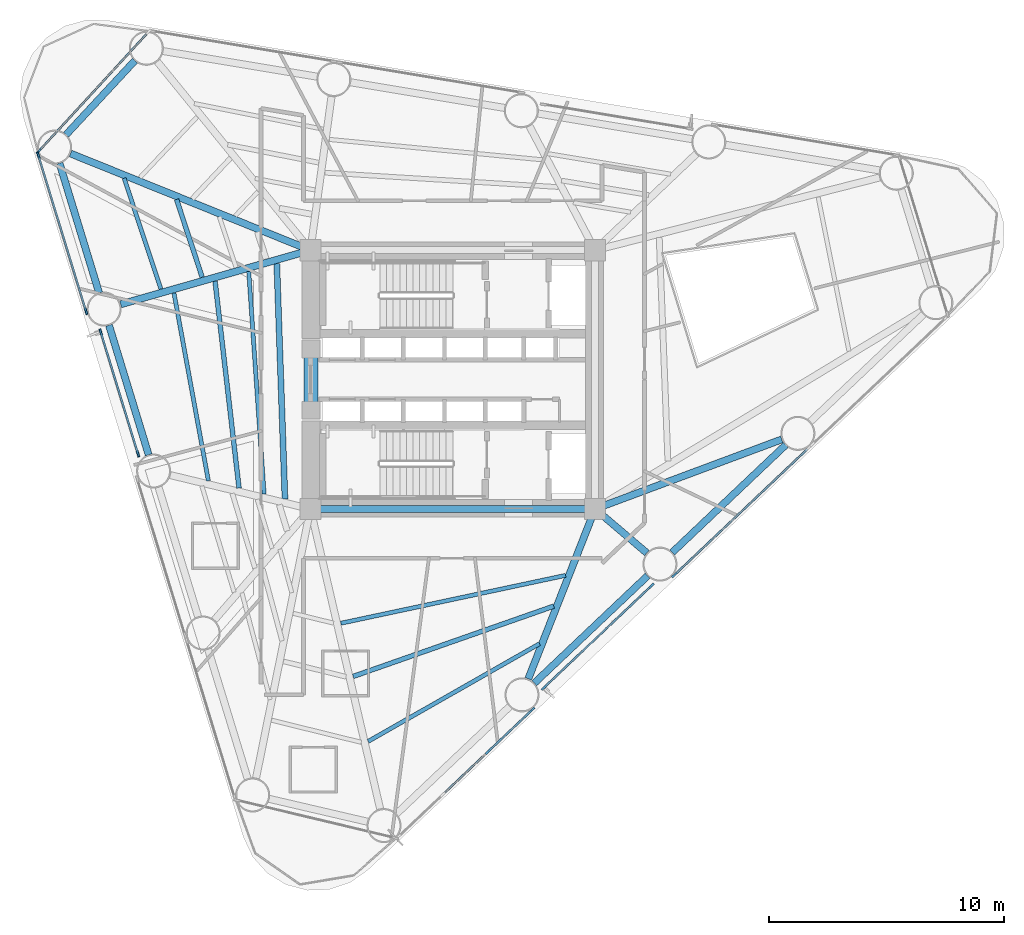
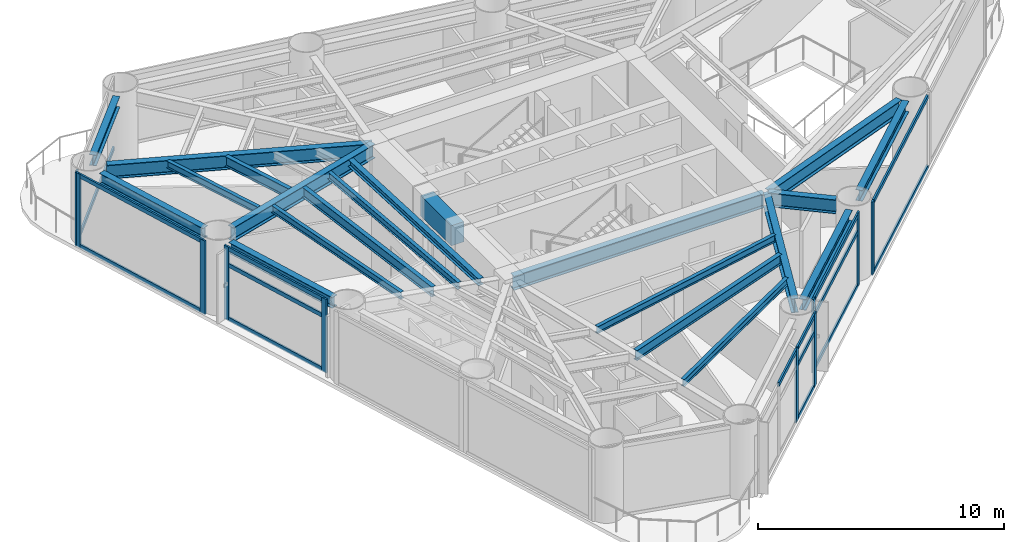
# One storey, part 2 of 10: 25 members, 21 beams, 6 elements without a shape of their own.
"""IFC4 building model written with IfcOpenShell, lengths in metres."""

from ifc_helpers import new_model, si_unit, direction, frame, origin, origin_2d, place, context, subcontext, project, spatial, rectangle, i_section, extrude, source, transform, mapped, material, layer, layer_set, material_profile, profile_set, type_object, element, aggregate, save


model = new_model("IFC4")

# Units and contexts
model_context = context("Model", 3, precision=1e-05, world=origin(), true_north=direction((0.0, 1.0)))
body_context = subcontext(model_context, "Body", "Model", "MODEL_VIEW")
ifc_project = project(units=[si_unit("LENGTHUNIT", "METRE"), si_unit("AREAUNIT", "SQUARE_METRE"), si_unit("VOLUMEUNIT", "CUBIC_METRE"), si_unit("PLANEANGLEUNIT", "RADIAN"), si_unit("MASSUNIT", "GRAM", prefix="KILO")], contexts=[model_context])

# Site, building, storey
site_placement = place(None, origin())
site = spatial("IfcSite", under=ifc_project, at=site_placement, CompositionType="ELEMENT")
building_placement = place(site_placement, origin())
building = spatial("IfcBuilding", under=site, at=building_placement, Name="Yunling Apex Tower", CompositionType="ELEMENT")
storey_placement = place(building_placement, frame((0.0, 0.0, 112.39990234375)))
storey = spatial("IfcBuildingStorey", under=building, at=storey_placement, Name="L28", CompositionType="ELEMENT", Elevation=112.39990234375)

# Beams
ifc_material_1 = material(Name="Concrete C60", Category="concrete")
ifc_material_profile_1 = material_profile(ifc_material_1, rectangle(XDim=0.60009765625, YDim=1.0, at=origin_2d()))
ifc_profile_set_1 = profile_set([ifc_material_profile_1], Name="Concrete C60")
beam_type_1 = type_object("IfcBeamType", Name="BC-CPL-1", PredefinedType="BEAM", material=ifc_profile_set_1)
shared_shape_1 = source(origin(), body_context, "Body", "SweptSolid", [
    extrude(rectangle(XDim=0.60009765625, YDim=1.0, at=origin_2d()), origin(), (0.0, 0.0, 1.0), 2.5),
])
beam_1_placement = place(storey_placement, frame((-6.02490234375, -1.25, 3.065185546875), z_axis=(0.0, 1.0, 0.0), x_axis=(-1.0, 0.0, 0.0)))
element("IfcBeam", 1, at=beam_1_placement, inside=storey, type_object=beam_type_1, Name="L28 Core West Portal Coupling Beam", PredefinedType="BEAM", context=body_context, shape_type="MappedRepresentation", body=[
    mapped(shared_shape_1, transform((0.0, 0.0, 0.0), scale=1.0)),
])
ifc_material_2 = material(Name="Steel Q355B", Category="steel")
ifc_material_profile_2 = material_profile(ifc_material_2, i_section(OverallWidth=0.300048828125, OverallDepth=0.699951171875, WebThickness=0.012939453125, FlangeThickness=0.02392578125, FilletRadius=0.02587890625, at=origin_2d()))
ifc_profile_set_2 = profile_set([ifc_material_profile_2], Name="Steel Q355B")
beam_type_2 = type_object("IfcBeamType", Name="BG-PRI-3", PredefinedType="USERDEFINED", material=ifc_profile_set_2)
shared_shape_2 = source(origin(), body_context, "Body", "SweptSolid", [
    extrude(i_section(OverallWidth=0.300048828125, OverallDepth=0.699951171875, WebThickness=0.012939453125, FlangeThickness=0.02392578125, FilletRadius=0.02587890625, at=origin_2d()), origin(), (0.0, 0.0, 1.0), 11.7998046875),
])
beam_2_placement = place(storey_placement, frame((-5.89990234375, -5.5, 3.215087890625), z_axis=(1.0, 0.0, 0.0), x_axis=(0.0, 1.0, 0.0)))
element("IfcBeam", 2, at=beam_2_placement, inside=storey, type_object=beam_type_2, Name="L28 Core Ring Tie Beam 1", ObjectType="GIRDER", PredefinedType="USERDEFINED", context=body_context, shape_type="MappedRepresentation", body=[
    mapped(shared_shape_2, transform((0.0, 0.0, 0.0), scale=1.0)),
])
ifc_material_profile_3 = material_profile(ifc_material_2, i_section(OverallWidth=0.300048828125, OverallDepth=0.5400390625, WebThickness=0.011962890625, FlangeThickness=0.02001953125, FilletRadius=0.02392578125, at=origin_2d()))
ifc_profile_set_3 = profile_set([ifc_material_profile_3], Name="Steel Q355B")
beam_type_3 = type_object("IfcBeamType", Name="BP-SPN-1", PredefinedType="SPANDREL", material=ifc_profile_set_3)
shared_shape_3 = source(origin(), body_context, "Body", "SweptSolid", [
    extrude(i_section(OverallWidth=0.300048828125, OverallDepth=0.5400390625, WebThickness=0.011962890625, FlangeThickness=0.02001953125, FilletRadius=0.02392578125, at=origin_2d()), origin(), (0.0, 0.0, 1.0), 6.6416015625),
])
for number, where, z_axis, x_axis, name in (
    (3, (3.465087890625, -12.90771484375, 3.295166015625), (0.725873473547, 0.687828249203, 0.0), (-0.687828249203, 0.725873473547, 0.0), "L28 Perimeter Spandrel Beam 2"),
    (4, (9.330078125, -7.35009765625, 3.295166015625), (0.72585608204, 0.687846602205, 0.0), (-0.687846602205, 0.72585608204, 0.0), "L28 Perimeter Spandrel Beam 3"),
):
    element("IfcBeam", number, at=place(storey_placement, frame(where, z_axis=z_axis, x_axis=x_axis)), inside=storey, type_object=beam_type_3, Name=name, PredefinedType="SPANDREL", context=body_context, shape_type="MappedRepresentation", body=[
        mapped(shared_shape_3, transform((0.0, 0.0, 0.0), scale=1.0)),
    ])
shared_shape_4 = source(origin(), body_context, "Body", "SweptSolid", [
    extrude(i_section(OverallWidth=0.300048828125, OverallDepth=0.5400390625, WebThickness=0.011962890625, FlangeThickness=0.02001953125, FilletRadius=0.02392578125, at=origin_2d()), origin(), (0.0, 0.0, 1.0), 4.296875),
])
beam_3_placement = place(storey_placement, frame((-13.513671875, 13.55810546875, 3.295166015625), z_axis=(-0.680634144105, -0.732623478929, 0.0), x_axis=(0.732623478929, -0.680634144105, 0.0)))
element("IfcBeam", 5, at=beam_3_placement, inside=storey, type_object=beam_type_3, Name="L28 Perimeter Spandrel Beam 10", PredefinedType="SPANDREL", context=body_context, shape_type="MappedRepresentation", body=[
    mapped(shared_shape_4, transform((0.0, 0.0, 0.0), scale=1.0)),
])
shared_shape_5 = source(origin(), body_context, "Body", "SweptSolid", [
    extrude(i_section(OverallWidth=0.300048828125, OverallDepth=0.5400390625, WebThickness=0.011962890625, FlangeThickness=0.02001953125, FilletRadius=0.02392578125, at=origin_2d()), origin(), (0.0, 0.0, 1.0), 5.76220703125),
])
for number, where, z_axis, x_axis, name in (
    (6, (-16.71728515625, 9.19580078125, 3.295166015625), (0.292346626925, -0.956312422656, 0.0), (0.956312422656, 0.292346626925, 0.0), "L28 Perimeter Spandrel Beam 11"),
    (7, (-14.6123046875, 2.31005859375, 3.295166015625), (0.292385374143, -0.956300576695, 0.0), (0.956300576695, 0.292385374143, 0.0), "L28 Perimeter Spandrel Beam 12"),
):
    element("IfcBeam", number, at=place(storey_placement, frame(where, z_axis=z_axis, x_axis=x_axis)), inside=storey, type_object=beam_type_3, Name=name, PredefinedType="SPANDREL", context=body_context, shape_type="MappedRepresentation", body=[
        mapped(shared_shape_5, transform((0.0, 0.0, 0.0), scale=1.0)),
    ])
shared_shape_6 = source(origin(), body_context, "Body", "SweptSolid", [
    extrude(i_section(OverallWidth=0.300048828125, OverallDepth=0.699951171875, WebThickness=0.012939453125, FlangeThickness=0.02392578125, FilletRadius=0.02587890625, at=origin_2d()), origin(), (0.0, 0.0, 1.0), 7.67822265625),
])
beam_4_placement = place(storey_placement, frame((3.21142578125, -12.72021484375, 3.215087890625), z_axis=(0.365885513893, 0.930659868439, 0.0), x_axis=(-0.930659868439, 0.365885513893, 0.0)))
element("IfcBeam", 8, at=beam_4_placement, inside=storey, type_object=beam_type_2, Name="L28 Radial Primary Girder R02", ObjectType="GIRDER", PredefinedType="USERDEFINED", context=body_context, shape_type="MappedRepresentation", body=[
    mapped(shared_shape_6, transform((0.0, 0.0, 0.0), scale=1.0)),
])
shared_shape_7 = source(origin(), body_context, "Body", "SweptSolid", [
    extrude(i_section(OverallWidth=0.300048828125, OverallDepth=0.699951171875, WebThickness=0.012939453125, FlangeThickness=0.02392578125, FilletRadius=0.02587890625, at=origin_2d()), origin(), (0.0, 0.0, 1.0), 2.80712890625),
])
beam_5_placement = place(storey_placement, frame((8.24951171875, -7.3701171875, 3.215087890625), z_axis=(-0.761816983267, 0.647792315489, 0.0), x_axis=(-0.647792315489, -0.761816983267, 0.0)))
element("IfcBeam", 9, at=beam_5_placement, inside=storey, type_object=beam_type_2, Name="L28 Radial Primary Girder R03", ObjectType="GIRDER", PredefinedType="USERDEFINED", context=body_context, shape_type="MappedRepresentation", body=[
    mapped(shared_shape_7, transform((0.0, 0.0, 0.0), scale=1.0)),
])
shared_shape_8 = source(origin(), body_context, "Body", "SweptSolid", [
    extrude(i_section(OverallWidth=0.300048828125, OverallDepth=0.699951171875, WebThickness=0.012939453125, FlangeThickness=0.02392578125, FilletRadius=0.02587890625, at=origin_2d()), origin(), (0.0, 0.0, 1.0), 8.388916015625),
])
beam_6_placement = place(storey_placement, frame((13.98583984375, -2.54296875, 3.215087890625), z_axis=(-0.937056723422, -0.349177171489, 0.0), x_axis=(0.349177171489, -0.937056723422, 0.0)))
element("IfcBeam", 10, at=beam_6_placement, inside=storey, type_object=beam_type_2, Name="L28 Radial Primary Girder R04", ObjectType="GIRDER", PredefinedType="USERDEFINED", context=body_context, shape_type="MappedRepresentation", body=[
    mapped(shared_shape_8, transform((0.0, 0.0, 0.0), scale=1.0)),
])
shared_shape_9 = source(origin(), body_context, "Body", "SweptSolid", [
    extrude(i_section(OverallWidth=0.300048828125, OverallDepth=0.699951171875, WebThickness=0.012939453125, FlangeThickness=0.02392578125, FilletRadius=0.02587890625, at=origin_2d()), origin(), (0.0, 0.0, 1.0), 10.91455078125),
])
beam_7_placement = place(storey_placement, frame((-16.247802734375, 9.609375, 3.215087890625), z_axis=(0.927520283233, -0.373772824309, 0.0), x_axis=(0.373772824309, 0.927520283233, 0.0)))
element("IfcBeam", 11, at=beam_7_placement, inside=storey, type_object=beam_type_2, Name="L28 Radial Primary Girder R11", ObjectType="GIRDER", PredefinedType="USERDEFINED", context=body_context, shape_type="MappedRepresentation", body=[
    mapped(shared_shape_9, transform((0.0, 0.0, 0.0), scale=1.0)),
])
shared_shape_10 = source(origin(), body_context, "Body", "SweptSolid", [
    extrude(i_section(OverallWidth=0.300048828125, OverallDepth=0.699951171875, WebThickness=0.012939453125, FlangeThickness=0.02392578125, FilletRadius=0.02587890625, at=origin_2d()), origin(), (0.0, 0.0, 1.0), 8.309326171875),
])
beam_8_placement = place(storey_placement, frame((-14.117431640625, 3.19873046875, 3.215087890625), z_axis=(0.961641387397, 0.274309755652, 0.0), x_axis=(-0.274309755652, 0.961641387397, 0.0)))
element("IfcBeam", 12, at=beam_8_placement, inside=storey, type_object=beam_type_2, Name="L28 Radial Primary Girder R12", ObjectType="GIRDER", PredefinedType="USERDEFINED", context=body_context, shape_type="MappedRepresentation", body=[
    mapped(shared_shape_10, transform((0.0, 0.0, 0.0), scale=1.0)),
])
ifc_material_profile_4 = material_profile(ifc_material_2, i_section(OverallWidth=0.199951171875, OverallDepth=0.5, WebThickness=0.010009765625, FlangeThickness=0.01611328125, FilletRadius=0.02001953125, at=origin_2d()))
ifc_profile_set_4 = profile_set([ifc_material_profile_4], Name="Steel Q355B")
beam_type_4 = type_object("IfcBeamType", Name="BS-SEC-2", PredefinedType="BEAM", material=ifc_profile_set_4)
shared_shape_11 = source(origin(), body_context, "Body", "SweptSolid", [
    extrude(i_section(OverallWidth=0.199951171875, OverallDepth=0.5, WebThickness=0.010009765625, FlangeThickness=0.01611328125, FilletRadius=0.02001953125, at=origin_2d()), origin(), (0.0, 0.0, 1.0), 9.03759765625),
])
beam_9_placement = place(storey_placement, frame((-4.23193359375, -12.619140625, 3.315185546875), z_axis=(0.943677540759, 0.330866588018, 0.0), x_axis=(-0.330866588018, 0.943677540759, 0.0)))
element("IfcBeam", 13, at=beam_9_placement, inside=storey, type_object=beam_type_4, Name="L28 Composite Floor Beam BS-1", PredefinedType="BEAM", context=body_context, shape_type="MappedRepresentation", body=[
    mapped(shared_shape_11, transform((0.0, 0.0, 0.0), scale=1.0)),
])
ifc_material_profile_5 = material_profile(ifc_material_2, i_section(OverallWidth=0.175048828125, OverallDepth=0.35009765625, WebThickness=0.007080078125, FlangeThickness=0.010986328125, FilletRadius=0.013916015625, at=origin_2d()))
ifc_profile_set_5 = profile_set([ifc_material_profile_5], Name="Steel Q355B")
beam_type_5 = type_object("IfcBeamType", Name="BJ-JST-1", PredefinedType="JOIST", material=ifc_profile_set_5)
shared_shape_12 = source(origin(), body_context, "Body", "SweptSolid", [
    extrude(i_section(OverallWidth=0.175048828125, OverallDepth=0.35009765625, WebThickness=0.007080078125, FlangeThickness=0.010986328125, FilletRadius=0.013916015625, at=origin_2d()), origin(), (0.0, 0.0, 1.0), 8.38671875),
])
beam_10_placement = place(storey_placement, frame((-3.59619140625, -15.3798828125, 3.39013671875), z_axis=(0.868817593772, 0.495132294192, 0.0), x_axis=(-0.495132294192, 0.868817593772, 0.0)))
element("IfcBeam", 14, at=beam_10_placement, inside=storey, type_object=beam_type_5, Name="L28 Composite Floor Joist BJ1-1", PredefinedType="JOIST", context=body_context, shape_type="MappedRepresentation", body=[
    mapped(shared_shape_12, transform((0.0, 0.0, 0.0), scale=1.0)),
])
shared_shape_13 = source(origin(), body_context, "Body", "SweptSolid", [
    extrude(i_section(OverallWidth=0.175048828125, OverallDepth=0.35009765625, WebThickness=0.007080078125, FlangeThickness=0.010986328125, FilletRadius=0.013916015625, at=origin_2d()), origin(), (0.0, 0.0, 1.0), 9.767578125),
])
beam_11_placement = place(storey_placement, frame((-4.756591796875, -10.3583984375, 3.39013671875), z_axis=(0.978052637888, 0.208357955263, 0.0), x_axis=(-0.208357955263, 0.978052637888, 0.0)))
element("IfcBeam", 15, at=beam_11_placement, inside=storey, type_object=beam_type_5, Name="L28 Composite Floor Joist BJ3-1", PredefinedType="JOIST", context=body_context, shape_type="MappedRepresentation", body=[
    mapped(shared_shape_13, transform((0.0, 0.0, 0.0), scale=1.0)),
])
shared_shape_14 = source(origin(), body_context, "Body", "SweptSolid", [
    extrude(i_section(OverallWidth=0.199951171875, OverallDepth=0.5, WebThickness=0.010009765625, FlangeThickness=0.01611328125, FilletRadius=0.02001953125, at=origin_2d()), origin(), (0.0, 0.0, 1.0), 3.484130859375),
])
beam_12_placement = place(storey_placement, frame((-11.7431640625, 7.662353515625, 3.315185546875), z_axis=(0.313220106306, -0.949680559455, 0.0), x_axis=(0.949680559455, 0.313220106306, 0.0)))
element("IfcBeam", 16, at=beam_12_placement, inside=storey, type_object=beam_type_4, Name="L28 Composite Floor Beam BS-11", PredefinedType="BEAM", context=body_context, shape_type="MappedRepresentation", body=[
    mapped(shared_shape_14, transform((0.0, 0.0, 0.0), scale=1.0)),
])
shared_shape_15 = source(origin(), body_context, "Body", "SweptSolid", [
    extrude(i_section(OverallWidth=0.175048828125, OverallDepth=0.35009765625, WebThickness=0.007080078125, FlangeThickness=0.010986328125, FilletRadius=0.013916015625, at=origin_2d()), origin(), (0.0, 0.0, 1.0), 4.959716796875),
])
beam_13_placement = place(storey_placement, frame((-13.97021484375, 8.56005859375, 3.39013671875), z_axis=(0.314588147489, -0.949228264149, 0.0), x_axis=(0.949228264149, 0.314588147489, 0.0)))
element("IfcBeam", 17, at=beam_13_placement, inside=storey, type_object=beam_type_5, Name="L28 Composite Floor Joist BJ1-11", PredefinedType="JOIST", context=body_context, shape_type="MappedRepresentation", body=[
    mapped(shared_shape_15, transform((0.0, 0.0, 0.0), scale=1.0)),
])
shared_shape_16 = source(origin(), body_context, "Body", "SweptSolid", [
    extrude(i_section(OverallWidth=0.199951171875, OverallDepth=0.5, WebThickness=0.010009765625, FlangeThickness=0.01611328125, FilletRadius=0.02001953125, at=origin_2d()), origin(), (0.0, 0.0, 1.0), 8.85009765625),
])
beam_14_placement = place(storey_placement, frame((-10.103759765625, 4.179443359375, 3.315185546875), z_axis=(0.115144483353, -0.993348754443, 0.0), x_axis=(0.993348754443, 0.115144483353, 0.0)))
element("IfcBeam", 18, at=beam_14_placement, inside=storey, type_object=beam_type_4, Name="L28 Composite Floor Beam BS-12", PredefinedType="BEAM", context=body_context, shape_type="MappedRepresentation", body=[
    mapped(shared_shape_16, transform((0.0, 0.0, 0.0), scale=1.0)),
])
shared_shape_17 = source(origin(), body_context, "Body", "SweptSolid", [
    extrude(i_section(OverallWidth=0.175048828125, OverallDepth=0.35009765625, WebThickness=0.007080078125, FlangeThickness=0.010986328125, FilletRadius=0.013916015625, at=origin_2d()), origin(), (0.0, 0.0, 1.0), 8.113525390625),
])
beam_15_placement = place(storey_placement, frame((-11.851318359375, 3.6796875, 3.39013671875), z_axis=(0.180333691295, -0.983605489912, 0.0), x_axis=(0.983605489912, 0.180333691295, 0.0)))
element("IfcBeam", 19, at=beam_15_placement, inside=storey, type_object=beam_type_5, Name="L28 Composite Floor Joist BJ1-12", PredefinedType="JOIST", context=body_context, shape_type="MappedRepresentation", body=[
    mapped(shared_shape_17, transform((0.0, 0.0, 0.0), scale=1.0)),
])
shared_shape_18 = source(origin(), body_context, "Body", "SweptSolid", [
    extrude(i_section(OverallWidth=0.175048828125, OverallDepth=0.35009765625, WebThickness=0.007080078125, FlangeThickness=0.010986328125, FilletRadius=0.013916015625, at=origin_2d()), origin(), (0.0, 0.0, 1.0), 9.478515625),
])
beam_16_placement = place(storey_placement, frame((-8.6728515625, 4.589111328125, 3.39013671875), z_axis=(0.068925846819, -0.997621785869, 0.0), x_axis=(0.997621785869, 0.068925846819, 0.0)))
element("IfcBeam", 20, at=beam_16_placement, inside=storey, type_object=beam_type_5, Name="L28 Composite Floor Joist BJ3-12", PredefinedType="JOIST", context=body_context, shape_type="MappedRepresentation", body=[
    mapped(shared_shape_18, transform((0.0, 0.0, 0.0), scale=1.0)),
])
ifc_material_profile_6 = material_profile(ifc_material_2, i_section(OverallWidth=0.25, OverallDepth=0.340087890625, WebThickness=0.009033203125, FlangeThickness=0.013916015625, FilletRadius=0.01806640625, at=origin_2d()))
ifc_profile_set_6 = profile_set([ifc_material_profile_6], Name="Steel Q355B")
beam_type_6 = type_object("IfcBeamType", Name="BJ-JST-2", PredefinedType="JOIST", material=ifc_profile_set_6)
shared_shape_19 = source(origin(), body_context, "Body", "SweptSolid", [
    extrude(i_section(OverallWidth=0.25, OverallDepth=0.340087890625, WebThickness=0.009033203125, FlangeThickness=0.013916015625, FilletRadius=0.01806640625, at=origin_2d()), origin(), (0.0, 0.0, 1.0), 10.016357421875),
])
beam_17_placement = place(storey_placement, frame((-7.479736328125, 4.9306640625, 3.39501953125), z_axis=(0.034684741857, -0.999398303322, 0.0), x_axis=(0.999398303322, 0.034684741857, 0.0)))
element("IfcBeam", 21, at=beam_17_placement, inside=storey, type_object=beam_type_6, Name="L28 Composite Floor Joist BJ2-12", PredefinedType="JOIST", context=body_context, shape_type="MappedRepresentation", body=[
    mapped(shared_shape_19, transform((0.0, 0.0, 0.0), scale=1.0)),
])

# Curtain wall, members
ifc_material_3 = material(Name="Bronze anodised aluminium", Category="aluminium")
ifc_layer = layer(ifc_material_3, 0.260009765625)
ifc_layer_set = layer_set([ifc_layer], Name="Bronze anodised aluminium")
curtain_wall_type = type_object("IfcCurtainWallType", Name="CW-SYS-2", PredefinedType="NOTDEFINED", material=ifc_layer_set)
curtain_wall_1_placement = place(storey_placement, origin())
curtain_wall_1 = element("IfcCurtainWall", 22, at=curtain_wall_1_placement, inside=storey, type_object=curtain_wall_type, Name="CW-L28-F1-B1", PredefinedType="NOTDEFINED")
ifc_material_profile_7 = material_profile(ifc_material_3, rectangle(XDim=0.0849609375, YDim=0.260009765625, at=origin_2d()))
ifc_profile_set_7 = profile_set([ifc_material_profile_7], Name="Bronze anodised aluminium")
member_type_1 = type_object("IfcMemberType", Name="CW-MUL-2", PredefinedType="MULLION", material=ifc_profile_set_7)
shared_shape_20 = source(origin(), body_context, "Body", "SweptSolid", [
    extrude(rectangle(XDim=0.0849609375, YDim=0.260009765625, at=origin_2d()), origin(), (0.0, 0.0, 1.0), 3.664794921875),
])
member_1_placement = place(storey_placement, frame((1.491943359375, -15.824951171875, -0.0498046875), z_axis=(0.0, 0.0, 1.0), x_axis=(-0.687861264918, 0.72584218686, 0.0)))
member_1 = element("IfcMember", 23, at=member_1_placement, type_object=member_type_1, Name="CW-SYS-2 mullion 3", PredefinedType="MULLION", context=body_context, shape_type="MappedRepresentation", body=[
    mapped(shared_shape_20, transform((0.0, 0.0, 0.0), scale=1.0)),
])
member_2_placement = place(storey_placement, frame((3.377197265625, -14.038330078125, -0.0498046875), z_axis=(0.0, 0.0, 1.0), x_axis=(-0.687861264918, 0.72584218686, 0.0)))
member_2 = element("IfcMember", 24, at=member_2_placement, type_object=member_type_1, Name="CW-SYS-2 mullion 4", PredefinedType="MULLION", context=body_context, shape_type="MappedRepresentation", body=[
    mapped(shared_shape_20, transform((0.0, 0.0, 0.0), scale=1.0)),
])

curtain_wall_2_placement = place(storey_placement, origin())
curtain_wall_2 = element("IfcCurtainWall", 25, at=curtain_wall_2_placement, inside=storey, type_object=curtain_wall_type, Name="CW-L28-F1-B2", PredefinedType="NOTDEFINED")
member_3_placement = place(storey_placement, frame((3.87646484375, -13.096923828125, -0.0498046875), z_axis=(0.0, 0.0, 1.0), x_axis=(-0.687844480924, 0.725858092234, 0.0)))
member_3 = element("IfcMember", 26, at=member_3_placement, type_object=member_type_1, Name="CW-SYS-2 mullion 1", PredefinedType="MULLION", context=body_context, shape_type="MappedRepresentation", body=[
    mapped(shared_shape_20, transform((0.0, 0.0, 0.0), scale=1.0)),
])
member_4_placement = place(storey_placement, frame((8.452880859375, -8.76025390625, -0.0498046875), z_axis=(0.0, 0.0, 1.0), x_axis=(-0.687844480924, 0.725858092234, 0.0)))
member_4 = element("IfcMember", 27, at=member_4_placement, type_object=member_type_1, Name="CW-SYS-2 mullion 2", PredefinedType="MULLION", context=body_context, shape_type="MappedRepresentation", body=[
    mapped(shared_shape_20, transform((0.0, 0.0, 0.0), scale=1.0)),
])

# Curtain wall, member
curtain_wall_3_placement = place(storey_placement, origin())
curtain_wall_3 = element("IfcCurtainWall", 28, at=curtain_wall_3_placement, inside=storey, type_object=curtain_wall_type, Name="CW-L28-F1-B3", PredefinedType="NOTDEFINED")
member_5_placement = place(storey_placement, frame((9.419921875, -8.312255859375, -0.0498046875), z_axis=(0.0, 0.0, 1.0), x_axis=(-0.687861264918, 0.72584218686, 0.0)))
member_5 = element("IfcMember", 29, at=member_5_placement, type_object=member_type_1, Name="CW-SYS-2 mullion 1", PredefinedType="MULLION", context=body_context, shape_type="MappedRepresentation", body=[
    mapped(shared_shape_20, transform((0.0, 0.0, 0.0), scale=1.0)),
])

curtain_wall_4_placement = place(storey_placement, origin())
curtain_wall_4 = element("IfcCurtainWall", 30, at=curtain_wall_4_placement, inside=storey, type_object=curtain_wall_type, Name="CW-L28-CRN2", PredefinedType="NOTDEFINED")
member_6_placement = place(storey_placement, frame((-17.6064453125, 9.6982421875, -0.0498046875), z_axis=(0.0, 0.0, 1.0), x_axis=(0.736184624933, -0.676780760669, 0.0)))
member_6 = element("IfcMember", 31, at=member_6_placement, type_object=member_type_1, Name="CW-SYS-2 mullion 2", PredefinedType="MULLION", context=body_context, shape_type="MappedRepresentation", body=[
    mapped(shared_shape_20, transform((0.0, 0.0, 0.0), scale=1.0)),
])

# Curtain wall, members
curtain_wall_5_placement = place(storey_placement, origin())
curtain_wall_5 = element("IfcCurtainWall", 32, at=curtain_wall_5_placement, inside=storey, type_object=curtain_wall_type, Name="CW-L28-F3-B1", PredefinedType="NOTDEFINED")
member_7_placement = place(storey_placement, frame((-17.61865234375, 9.5439453125, -0.0498046875), z_axis=(0.0, 0.0, 1.0), x_axis=(0.956304476342, 0.292372619321, 0.0)))
member_7 = element("IfcMember", 33, at=member_7_placement, type_object=member_type_1, Name="CW-SYS-2 mullion 1", PredefinedType="MULLION", context=body_context, shape_type="MappedRepresentation", body=[
    mapped(shared_shape_20, transform((0.0, 0.0, 0.0), scale=1.0)),
])
member_8_placement = place(storey_placement, frame((-15.5849609375, 2.892578125, -0.0498046875), z_axis=(0.0, 0.0, 1.0), x_axis=(0.956304476342, 0.292372619321, 0.0)))
member_8 = element("IfcMember", 34, at=member_8_placement, type_object=member_type_1, Name="CW-SYS-2 mullion 2", PredefinedType="MULLION", context=body_context, shape_type="MappedRepresentation", body=[
    mapped(shared_shape_20, transform((0.0, 0.0, 0.0), scale=1.0)),
])

curtain_wall_6_placement = place(storey_placement, origin())
curtain_wall_6 = element("IfcCurtainWall", 35, at=curtain_wall_6_placement, inside=storey, type_object=curtain_wall_type, Name="CW-L28-F3-B2", PredefinedType="NOTDEFINED")
member_9_placement = place(storey_placement, frame((-14.964599609375, 2.026123046875, -0.0498046875), z_axis=(0.0, 0.0, 1.0), x_axis=(0.956307182672, 0.292363767199, 0.0)))
member_9 = element("IfcMember", 36, at=member_9_placement, type_object=member_type_1, Name="CW-SYS-2 mullion 1", PredefinedType="MULLION", context=body_context, shape_type="MappedRepresentation", body=[
    mapped(shared_shape_20, transform((0.0, 0.0, 0.0), scale=1.0)),
])
member_10_placement = place(storey_placement, frame((-13.37841796875, -3.162109375, -0.0498046875), z_axis=(0.0, 0.0, 1.0), x_axis=(0.956307182672, 0.292363767199, 0.0)))
member_10 = element("IfcMember", 37, at=member_10_placement, type_object=member_type_1, Name="CW-SYS-2 mullion 2", PredefinedType="MULLION", context=body_context, shape_type="MappedRepresentation", body=[
    mapped(shared_shape_20, transform((0.0, 0.0, 0.0), scale=1.0)),
])

# Member
ifc_material_profile_8 = material_profile(ifc_material_3, rectangle(XDim=0.0849609375, YDim=0.199951171875, at=origin_2d()))
ifc_profile_set_8 = profile_set([ifc_material_profile_8], Name="Bronze anodised aluminium")
member_type_2 = type_object("IfcMemberType", Name="CW-TRN-2", PredefinedType="USERDEFINED", material=ifc_profile_set_8)
shared_shape_21 = source(origin(), body_context, "Body", "SweptSolid", [
    extrude(rectangle(XDim=0.0849609375, YDim=0.199951171875, at=origin_2d()), origin(), (0.0, 0.0, 1.0), 2.563232421875),
])
member_11_placement = place(storey_placement, frame((-0.396484375, -17.614501953125, 3.522705078125), z_axis=(0.725852566003, 0.687850312515, 0.0), x_axis=(-0.687850312515, 0.725852566003, 0.0)))
member_11 = element("IfcMember", 38, at=member_11_placement, type_object=member_type_2, Name="CW-SYS-2 transom 2.3", ObjectType="TRANSOM", PredefinedType="USERDEFINED", context=body_context, shape_type="MappedRepresentation", body=[
    mapped(shared_shape_21, transform((0.0, 0.0, 0.0), scale=1.0)),
])

shared_shape_22 = source(origin(), body_context, "Body", "SweptSolid", [
    extrude(rectangle(XDim=0.0849609375, YDim=0.199951171875, at=origin_2d()), origin(), (0.0, 0.0, 1.0), 2.520751953125),
])
member_12_placement = place(storey_placement, frame((1.51953125, -15.798583984375, 0.04248046875), z_axis=(0.725881421947, 0.687819861063, 0.0), x_axis=(-0.687819861063, 0.725881421947, 0.0)))
member_12 = element("IfcMember", 39, at=member_12_placement, type_object=member_type_2, Name="CW-SYS-2 transom 3.1", ObjectType="TRANSOM", PredefinedType="USERDEFINED", context=body_context, shape_type="MappedRepresentation", body=[
    mapped(shared_shape_22, transform((0.0, 0.0, 0.0), scale=1.0)),
])

member_13_placement = place(storey_placement, frame((1.51953125, -15.798583984375, 2.715087890625), z_axis=(0.725881421947, 0.687819861063, 0.0), x_axis=(-0.687819861063, 0.725881421947, 0.0)))
member_13 = element("IfcMember", 40, at=member_13_placement, type_object=member_type_2, Name="CW-SYS-2 transom 3.2", ObjectType="TRANSOM", PredefinedType="USERDEFINED", context=body_context, shape_type="MappedRepresentation", body=[
    mapped(shared_shape_22, transform((0.0, 0.0, 0.0), scale=1.0)),
])

member_14_placement = place(storey_placement, frame((1.51953125, -15.798583984375, 3.522705078125), z_axis=(0.725881421947, 0.687819861063, 0.0), x_axis=(-0.687819861063, 0.725881421947, 0.0)))
member_14 = element("IfcMember", 41, at=member_14_placement, type_object=member_type_2, Name="CW-SYS-2 transom 3.3", ObjectType="TRANSOM", PredefinedType="USERDEFINED", context=body_context, shape_type="MappedRepresentation", body=[
    mapped(shared_shape_22, transform((0.0, 0.0, 0.0), scale=1.0)),
])

aggregate(curtain_wall_1, [member_1, member_2, member_11, member_12, member_13, member_14])

shared_shape_23 = source(origin(), body_context, "Body", "SweptSolid", [
    extrude(rectangle(XDim=0.0849609375, YDim=0.199951171875, at=origin_2d()), origin(), (0.0, 0.0, 1.0), 6.228271484375),
])
member_15_placement = place(storey_placement, frame((3.904296875, -13.070556640625, 0.04248046875), z_axis=(0.725843490466, 0.687859889329, 0.0), x_axis=(-0.687859889329, 0.725843490466, 0.0)))
member_15 = element("IfcMember", 42, at=member_15_placement, type_object=member_type_2, Name="CW-SYS-2 transom 1.1", ObjectType="TRANSOM", PredefinedType="USERDEFINED", context=body_context, shape_type="MappedRepresentation", body=[
    mapped(shared_shape_23, transform((0.0, 0.0, 0.0), scale=1.0)),
])

member_16_placement = place(storey_placement, frame((3.904296875, -13.070556640625, 2.715087890625), z_axis=(0.725843490466, 0.687859889329, 0.0), x_axis=(-0.687859889329, 0.725843490466, 0.0)))
member_16 = element("IfcMember", 43, at=member_16_placement, type_object=member_type_2, Name="CW-SYS-2 transom 1.2", ObjectType="TRANSOM", PredefinedType="USERDEFINED", context=body_context, shape_type="MappedRepresentation", body=[
    mapped(shared_shape_23, transform((0.0, 0.0, 0.0), scale=1.0)),
])

member_17_placement = place(storey_placement, frame((3.904296875, -13.070556640625, 3.522705078125), z_axis=(0.725843490466, 0.687859889329, 0.0), x_axis=(-0.687859889329, 0.725843490466, 0.0)))
member_17 = element("IfcMember", 44, at=member_17_placement, type_object=member_type_2, Name="CW-SYS-2 transom 1.3", ObjectType="TRANSOM", PredefinedType="USERDEFINED", context=body_context, shape_type="MappedRepresentation", body=[
    mapped(shared_shape_23, transform((0.0, 0.0, 0.0), scale=1.0)),
])

aggregate(curtain_wall_2, [member_3, member_4, member_15, member_16, member_17])

shared_shape_24 = source(origin(), body_context, "Body", "SweptSolid", [
    extrude(rectangle(XDim=0.0849609375, YDim=0.199951171875, at=origin_2d()), origin(), (0.0, 0.0, 1.0), 7.75830078125),
])
member_18_placement = place(storey_placement, frame((9.447509765625, -8.285888671875, 0.04248046875), z_axis=(0.725858408627, 0.687844147046, 0.0), x_axis=(-0.687844147046, 0.725858408627, 0.0)))
member_18 = element("IfcMember", 45, at=member_18_placement, type_object=member_type_2, Name="CW-SYS-2 transom 1.1", ObjectType="TRANSOM", PredefinedType="USERDEFINED", context=body_context, shape_type="MappedRepresentation", body=[
    mapped(shared_shape_24, transform((0.0, 0.0, 0.0), scale=1.0)),
])

member_19_placement = place(storey_placement, frame((9.447509765625, -8.285888671875, 3.522705078125), z_axis=(0.725858408627, 0.687844147046, 0.0), x_axis=(-0.687844147046, 0.725858408627, 0.0)))
member_19 = element("IfcMember", 46, at=member_19_placement, type_object=member_type_2, Name="CW-SYS-2 transom 1.2", ObjectType="TRANSOM", PredefinedType="USERDEFINED", context=body_context, shape_type="MappedRepresentation", body=[
    mapped(shared_shape_24, transform((0.0, 0.0, 0.0), scale=1.0)),
])

aggregate(curtain_wall_3, [member_5, member_18, member_19])

shared_shape_25 = source(origin(), body_context, "Body", "SweptSolid", [
    extrude(rectangle(XDim=0.0849609375, YDim=0.199951171875, at=origin_2d()), origin(), (0.0, 0.0, 1.0), 6.831298828125),
])
member_20_placement = place(storey_placement, frame((-12.957275390625, 14.755615234375, 0.04248046875), z_axis=(-0.676783953504, -0.73618168972, 0.0), x_axis=(0.73618168972, -0.676783953504, 0.0)))
member_20 = element("IfcMember", 47, at=member_20_placement, type_object=member_type_2, Name="CW-SYS-2 transom 1.1", ObjectType="TRANSOM", PredefinedType="USERDEFINED", context=body_context, shape_type="MappedRepresentation", body=[
    mapped(shared_shape_25, transform((0.0, 0.0, 0.0), scale=1.0)),
])

aggregate(curtain_wall_4, [member_6, member_20])

shared_shape_26 = source(origin(), body_context, "Body", "SweptSolid", [
    extrude(rectangle(XDim=0.0849609375, YDim=0.199951171875, at=origin_2d()), origin(), (0.0, 0.0, 1.0), 6.878662109375),
])
member_21_placement = place(storey_placement, frame((-17.607421875, 9.50732421875, 0.04248046875), z_axis=(0.29238444517, -0.956300860725, 0.0), x_axis=(0.956300860725, 0.29238444517, 0.0)))
member_21 = element("IfcMember", 48, at=member_21_placement, type_object=member_type_2, Name="CW-SYS-2 transom 1.1", ObjectType="TRANSOM", PredefinedType="USERDEFINED", context=body_context, shape_type="MappedRepresentation", body=[
    mapped(shared_shape_26, transform((0.0, 0.0, 0.0), scale=1.0)),
])

member_22_placement = place(storey_placement, frame((-17.607421875, 9.50732421875, 3.522705078125), z_axis=(0.29238444517, -0.956300860725, 0.0), x_axis=(0.956300860725, 0.29238444517, 0.0)))
member_22 = element("IfcMember", 49, at=member_22_placement, type_object=member_type_2, Name="CW-SYS-2 transom 1.2", ObjectType="TRANSOM", PredefinedType="USERDEFINED", context=body_context, shape_type="MappedRepresentation", body=[
    mapped(shared_shape_26, transform((0.0, 0.0, 0.0), scale=1.0)),
])

aggregate(curtain_wall_5, [member_7, member_8, member_21, member_22])

shared_shape_27 = source(origin(), body_context, "Body", "SweptSolid", [
    extrude(rectangle(XDim=0.0849609375, YDim=0.199951171875, at=origin_2d()), origin(), (0.0, 0.0, 1.0), 5.3486328125),
])
member_23_placement = place(storey_placement, frame((-14.953369140625, 1.989501953125, 0.04248046875), z_axis=(0.292356530711, -0.956309394992, 0.0), x_axis=(0.956309394992, 0.292356530711, 0.0)))
member_23 = element("IfcMember", 50, at=member_23_placement, type_object=member_type_2, Name="CW-SYS-2 transom 1.1", ObjectType="TRANSOM", PredefinedType="USERDEFINED", context=body_context, shape_type="MappedRepresentation", body=[
    mapped(shared_shape_27, transform((0.0, 0.0, 0.0), scale=1.0)),
])

member_24_placement = place(storey_placement, frame((-14.953369140625, 1.989501953125, 2.715087890625), z_axis=(0.292356530711, -0.956309394992, 0.0), x_axis=(0.956309394992, 0.292356530711, 0.0)))
member_24 = element("IfcMember", 51, at=member_24_placement, type_object=member_type_2, Name="CW-SYS-2 transom 1.2", ObjectType="TRANSOM", PredefinedType="USERDEFINED", context=body_context, shape_type="MappedRepresentation", body=[
    mapped(shared_shape_27, transform((0.0, 0.0, 0.0), scale=1.0)),
])

member_25_placement = place(storey_placement, frame((-14.953369140625, 1.989501953125, 3.522705078125), z_axis=(0.292356530711, -0.956309394992, 0.0), x_axis=(0.956309394992, 0.292356530711, 0.0)))
member_25 = element("IfcMember", 52, at=member_25_placement, type_object=member_type_2, Name="CW-SYS-2 transom 1.3", ObjectType="TRANSOM", PredefinedType="USERDEFINED", context=body_context, shape_type="MappedRepresentation", body=[
    mapped(shared_shape_27, transform((0.0, 0.0, 0.0), scale=1.0)),
])

aggregate(curtain_wall_6, [member_9, member_10, member_23, member_24, member_25])

save(model, "model.ifc")
